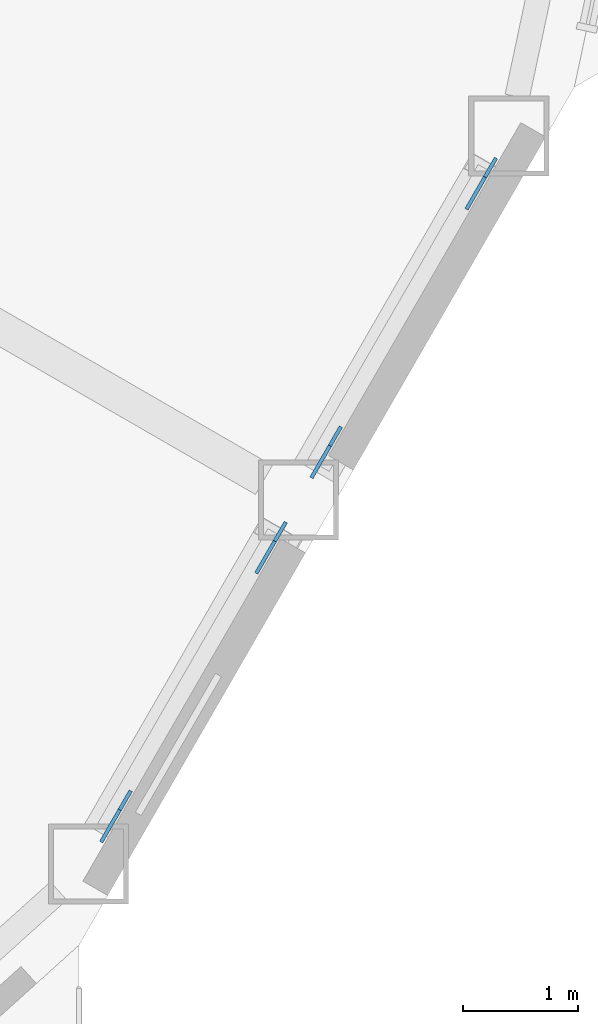
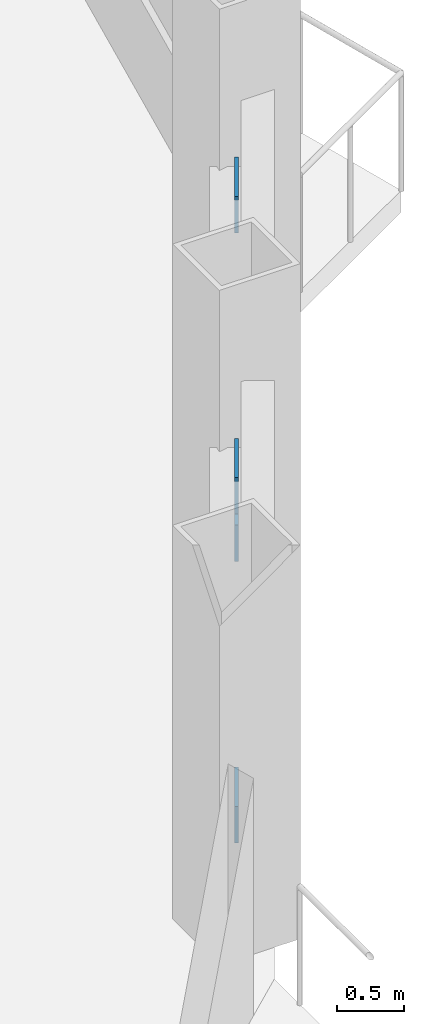
# One storey, part 17 of 24: 4 discrete accessories.
"""IFC4 building model written with IfcOpenShell, lengths in metres."""

from ifc_helpers import new_model, si_unit, direction, frame, origin, origin_2d, place, context, subcontext, project, spatial, rectangle, extrude, material, material_profile, profile_set, type_object, element, save


model = new_model("IFC4")

# Units and contexts
model_context = context("Model", 3, precision=1e-05, world=origin(), true_north=direction((0.0, 1.0)))
body_context = subcontext(model_context, "Body", "Model", "MODEL_VIEW")
ifc_project = project(units=[si_unit("LENGTHUNIT", "METRE"), si_unit("AREAUNIT", "SQUARE_METRE"), si_unit("VOLUMEUNIT", "CUBIC_METRE"), si_unit("PLANEANGLEUNIT", "RADIAN"), si_unit("MASSUNIT", "GRAM", prefix="KILO")], contexts=[model_context])

# Site, building, storey
site_placement = place(None, origin())
site = spatial("IfcSite", under=ifc_project, at=site_placement, CompositionType="ELEMENT")
building_placement = place(site_placement, origin())
building = spatial("IfcBuilding", under=site, at=building_placement, Name="Cormorant Prow Tower", CompositionType="ELEMENT")
storey_placement = place(building_placement, frame((0.0, 0.0, 234.60009765625)))
storey = spatial("IfcBuildingStorey", under=building, at=storey_placement, Name="L51", CompositionType="ELEMENT", Elevation=234.60009765625)

# Discrete accessories
ifc_material = material(Name="Structural steel ASTM A500 Gr C", Category="steel")
ifc_material_profile = material_profile(ifc_material, rectangle(XDim=0.031982421875, YDim=0.506103515625, at=origin_2d()), Name="Gusset plate 32x506")
ifc_profile_set = profile_set([ifc_material_profile], Name="Structural steel ASTM A500 Gr C")
discrete_accessory_type = type_object("IfcDiscreteAccessoryType", Name="Gusset plate 32x506", PredefinedType="BRACKET", material=ifc_profile_set)
discrete_accessory_1_placement = place(storey_placement, frame((26.262939453125, -18.658203125, 0.863037109375), z_axis=(-0.462827914709, -0.801584490837, -0.378487285673), x_axis=(0.866010015463, -0.500026652407, 0.0)))
element("IfcDiscreteAccessory", 1, at=discrete_accessory_1_placement, inside=storey, type_object=discrete_accessory_type, Name="Gusset plate GP2 L51.ESE00.g0", PredefinedType="BRACKET", context=body_context, shape_type="SweptSolid", body=[
    extrude(rectangle(XDim=0.031982421875, YDim=0.506103515625, at=origin_2d()), origin(), (0.0, 0.0, 1.0), 0.350341796875),
])
discrete_accessory_2_placement = place(storey_placement, frame((27.454833984375, -16.59375, 1.837646484375), z_axis=(0.462538490196, 0.801593854051, 0.378821116405), x_axis=(-0.866147934042, 0.499787711288, 0.0)))
element("IfcDiscreteAccessory", 2, at=discrete_accessory_2_placement, inside=storey, type_object=discrete_accessory_type, Name="Gusset plate GP2 L51.ESE00.g1", PredefinedType="BRACKET", context=body_context, shape_type="SweptSolid", body=[
    extrude(rectangle(XDim=0.031982421875, YDim=0.506103515625, at=origin_2d()), origin(), (0.0, 0.0, 1.0), 0.349853515625),
])
discrete_accessory_3_placement = place(storey_placement, frame((28.09814453125, -15.4794921875, 0.863037109375), z_axis=(-0.462827914709, -0.801584490837, -0.378487285673), x_axis=(0.866010015463, -0.500026652407, 0.0)))
element("IfcDiscreteAccessory", 3, at=discrete_accessory_3_placement, inside=storey, type_object=discrete_accessory_type, Name="Gusset plate GP2 L51.ESE01.g0", PredefinedType="BRACKET", context=body_context, shape_type="SweptSolid", body=[
    extrude(rectangle(XDim=0.031982421875, YDim=0.506103515625, at=origin_2d()), origin(), (0.0, 0.0, 1.0), 0.350341796875),
])
discrete_accessory_4_placement = place(storey_placement, frame((29.2900390625, -13.4150390625, 1.837646484375), z_axis=(0.462538490196, 0.801593854051, 0.378821116405), x_axis=(-0.866147934042, 0.499787711288, 0.0)))
element("IfcDiscreteAccessory", 4, at=discrete_accessory_4_placement, inside=storey, type_object=discrete_accessory_type, Name="Gusset plate GP2 L51.ESE01.g1", PredefinedType="BRACKET", context=body_context, shape_type="SweptSolid", body=[
    extrude(rectangle(XDim=0.031982421875, YDim=0.506103515625, at=origin_2d()), origin(), (0.0, 0.0, 1.0), 0.349853515625),
])

save(model, "model.ifc")
